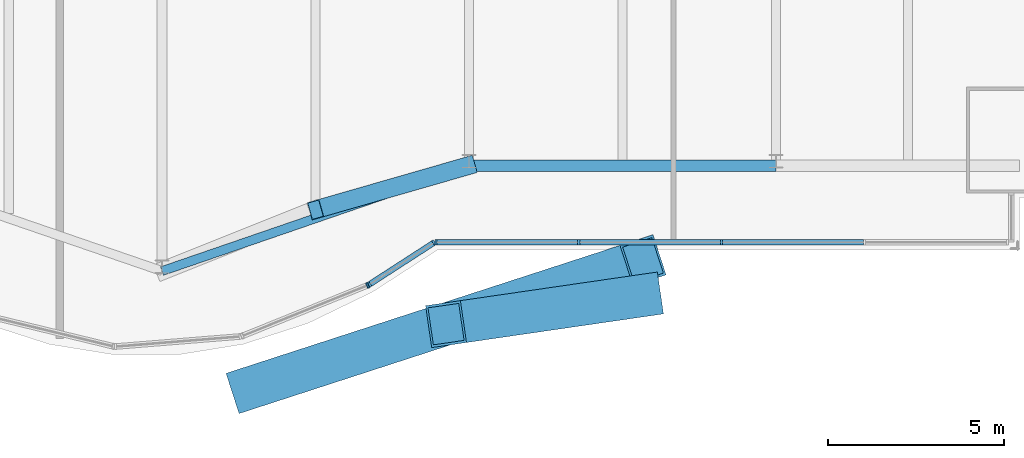
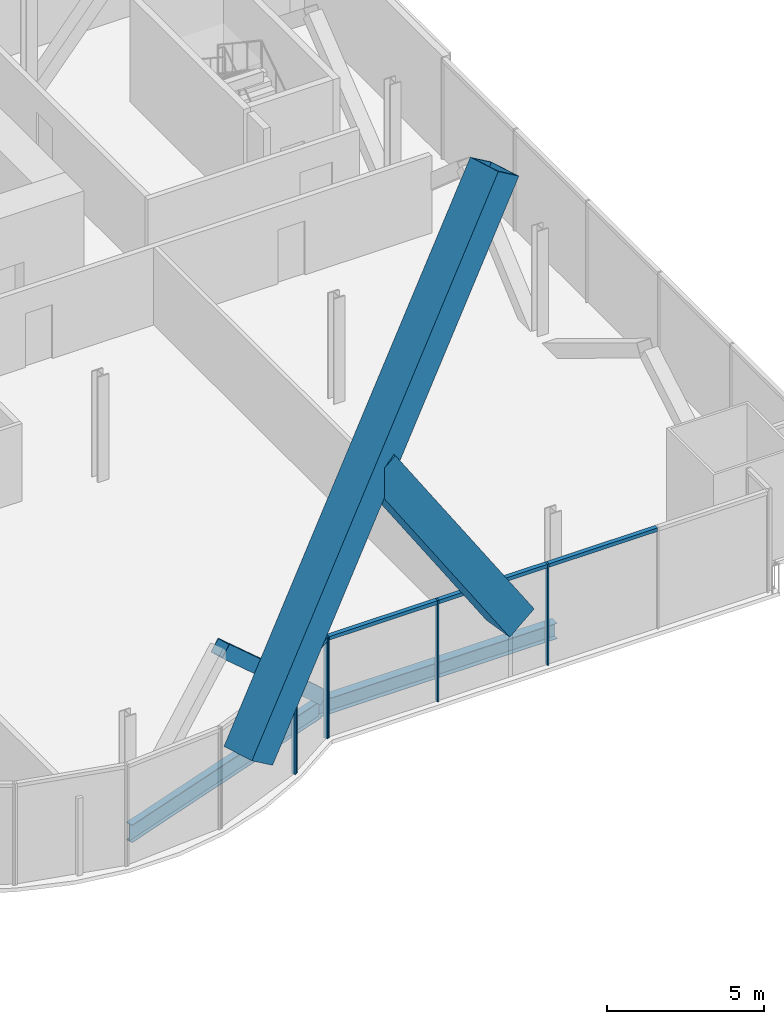
# One storey, part 9 of 22: 13 members, 2 beams, 2 elements without a shape of their own.
"""IFC4 building model written with IfcOpenShell, lengths in metres."""

from ifc_helpers import new_model, si_unit, direction, frame, origin, origin_2d, place, context, subcontext, project, spatial, rectangle, hollow_rectangle, i_section, extrude, material, material_profile, profile_set, type_object, element, aggregate, save


model = new_model("IFC4")

# Units and contexts
model_context = context("Model", 3, precision=1e-05, world=origin(), true_north=direction((0.0, 1.0)))
body_context = subcontext(model_context, "Body", "Model", "MODEL_VIEW")
ifc_project = project(units=[si_unit("LENGTHUNIT", "METRE"), si_unit("AREAUNIT", "SQUARE_METRE"), si_unit("VOLUMEUNIT", "CUBIC_METRE"), si_unit("PLANEANGLEUNIT", "RADIAN"), si_unit("MASSUNIT", "GRAM", prefix="KILO")], contexts=[model_context])

# Site, building, storey
site_placement = place(None, origin())
site = spatial("IfcSite", under=ifc_project, at=site_placement, CompositionType="ELEMENT")
building_placement = place(site_placement, origin())
building = spatial("IfcBuilding", under=site, at=building_placement, Name="Bicima Exchange Tower", CompositionType="ELEMENT")
storey_placement = place(building_placement, frame((0.0, 0.0, 102.199951171875)))
storey = spatial("IfcBuildingStorey", under=building, at=storey_placement, Name="L21", CompositionType="ELEMENT", Elevation=102.199951171875)

# Members
ifc_material_1 = material(Name="Steel ASTM A572 Gr 50", Category="steel")
ifc_material_profile_1 = material_profile(ifc_material_1, hollow_rectangle(XDim=1.199951171875, YDim=1.199951171875, WallThickness=0.070068359375, at=origin_2d()))
ifc_profile_set_1 = profile_set([ifc_material_profile_1], Name="Steel ASTM A572 Gr 50")
member_type_1 = type_object("IfcMemberType", Name="Exo mega brace BOX 1200x1200x70", PredefinedType="BRACE", material=ifc_profile_set_1)
member_1_placement = place(storey_placement, frame((11.166748046875, -42.248779296875, 3.63330078125), z_axis=(0.544086148819, 0.176710825587, 0.820209452995), x_axis=(-0.308900809412, 0.951094259232, 0.0)))
element("IfcMember", 1, at=member_1_placement, inside=storey, type_object=member_type_1, Name="Exo mega brace front", PredefinedType="BRACE", context=body_context, shape_type="SweptSolid", body=[
    extrude(hollow_rectangle(XDim=1.199951171875, YDim=1.199951171875, WallThickness=0.070068359375, at=origin_2d()), origin(), (0.0, 0.0, 1.0), 20.5234375),
])
member_2_placement = place(storey_placement, frame((22.333251953125, -39.623779296875, 3.63330078125), z_axis=(-0.551009731467, -0.080089044007, 0.830646748539), x_axis=(0.143838142422, -0.989601227154, 0.0)))
element("IfcMember", 2, at=member_2_placement, inside=storey, type_object=member_type_1, Name="Exo mega brace front", PredefinedType="BRACE", context=body_context, shape_type="SweptSolid", body=[
    extrude(hollow_rectangle(XDim=1.199951171875, YDim=1.199951171875, WallThickness=0.070068359375, at=origin_2d()), origin(), (0.0, 0.0, 1.0), 10.1328125),
])

# Beams
ifc_material_2 = material(Name="Steel ASTM A992 Gr 50", Category="steel")
ifc_material_profile_2 = material_profile(ifc_material_2, i_section(OverallWidth=0.3251953125, OverallDepth=0.612060546875, WebThickness=0.0126953125, FlangeThickness=0.01904296875, at=origin_2d()))
ifc_profile_set_2 = profile_set([ifc_material_profile_2], Name="Steel ASTM A992 Gr 50")
beam_type_1 = type_object("IfcBeamType", Name="Front girder W24x104", PredefinedType="BEAM", material=ifc_profile_set_2)
beam_1_placement = place(storey_placement, frame((17.39990234375, -35.93994140625, -0.4560546875), z_axis=(1.0, 0.0, 0.0), x_axis=(0.0, 1.0, 0.0)))
element("IfcBeam", 3, at=beam_1_placement, inside=storey, type_object=beam_type_1, Name="Front girder", PredefinedType="BEAM", context=body_context, shape_type="SweptSolid", body=[
    extrude(i_section(OverallWidth=0.3251953125, OverallDepth=0.612060546875, WebThickness=0.0126953125, FlangeThickness=0.01904296875, at=origin_2d()), origin(), (0.0, 0.0, 1.0), 8.7001953125),
])
ifc_material_profile_3 = material_profile(ifc_material_2, i_section(OverallWidth=0.256591796875, OverallDepth=0.693359375, WebThickness=0.014404296875, FlangeThickness=0.023681640625, at=origin_2d()))
ifc_profile_set_3 = profile_set([ifc_material_profile_3], Name="Steel ASTM A992 Gr 50")
beam_type_2 = type_object("IfcBeamType", Name="Front girder W27x114", PredefinedType="BEAM", material=ifc_profile_set_3)
beam_2_placement = place(storey_placement, frame((8.699951171875, -38.93115234375, -0.49658203125), z_axis=(0.945666456746, 0.325138359143, 0.0), x_axis=(-0.325138359143, 0.945666456746, 0.0)))
element("IfcBeam", 4, at=beam_2_placement, inside=storey, type_object=beam_type_2, Name="Front girder", PredefinedType="BEAM", context=body_context, shape_type="SweptSolid", body=[
    extrude(i_section(OverallWidth=0.256591796875, OverallDepth=0.693359375, WebThickness=0.014404296875, FlangeThickness=0.023681640625, at=origin_2d()), origin(), (0.0, 0.0, 1.0), 9.19970703125),
])

# Curtain wall, members
ifc_material_3 = material(Name="Anodised bronze aluminium", Category="aluminium")
curtain_wall_type = type_object("IfcCurtainWallType", Name="Front glass wall", PredefinedType="NOTDEFINED", material=ifc_material_3)
curtain_wall_1_placement = place(storey_placement, origin())
curtain_wall_1 = element("IfcCurtainWall", 5, at=curtain_wall_1_placement, inside=storey, type_object=curtain_wall_type, Name="Front glass wall L21 run 11", PredefinedType="NOTDEFINED")
ifc_material_profile_4 = material_profile(ifc_material_3, rectangle(XDim=0.159912109375, YDim=0.06005859375, at=origin_2d()))
ifc_profile_set_4 = profile_set([ifc_material_profile_4], Name="Anodised bronze aluminium")
member_type_2 = type_object("IfcMemberType", Name="Front glass wall mullion 60 x 160", PredefinedType="MULLION", material=ifc_profile_set_4)
member_3_placement = place(storey_placement, frame((14.52587890625, -39.335693359375, 0.0), z_axis=(0.0, 0.0, 1.0), x_axis=(-0.374705304, 0.92714396679, 0.0)))
member_3 = element("IfcMember", 6, at=member_3_placement, type_object=member_type_2, Name="Front glass wall mullion 2", PredefinedType="MULLION", context=body_context, shape_type="SweptSolid", body=[
    extrude(rectangle(XDim=0.159912109375, YDim=0.06005859375, at=origin_2d()), origin(), (0.0, 0.0, 1.0), 3.949951171875),
])
member_4_placement = place(storey_placement, frame((14.578857421875, -39.30810546875, 0.0), z_axis=(0.0, 0.0, 1.0), x_axis=(-0.542909183079, 0.839791413941, 0.0)))
member_4 = element("IfcMember", 7, at=member_4_placement, type_object=member_type_2, Name="Front glass wall mullion 1", PredefinedType="MULLION", context=body_context, shape_type="SweptSolid", body=[
    extrude(rectangle(XDim=0.159912109375, YDim=0.06005859375, at=origin_2d()), origin(), (0.0, 0.0, 1.0), 3.949951171875),
])
member_5_placement = place(storey_placement, frame((16.406982421875, -38.126220703125, 0.0), z_axis=(0.0, 0.0, 1.0), x_axis=(-0.542909183079, 0.839791413941, 0.0)))
member_5 = element("IfcMember", 8, at=member_5_placement, type_object=member_type_2, Name="Front glass wall mullion 2", PredefinedType="MULLION", context=body_context, shape_type="SweptSolid", body=[
    extrude(rectangle(XDim=0.159912109375, YDim=0.06005859375, at=origin_2d()), origin(), (0.0, 0.0, 1.0), 3.949951171875),
])

curtain_wall_2_placement = place(storey_placement, origin())
curtain_wall_2 = element("IfcCurtainWall", 9, at=curtain_wall_2_placement, inside=storey, type_object=curtain_wall_type, Name="Front glass wall L21 run 16", PredefinedType="NOTDEFINED")
member_6_placement = place(storey_placement, frame((16.462158203125, -38.110107421875, 0.0), z_axis=(0.0, 0.0, 1.0), x_axis=(0.0, 1.0, 0.0)))
member_6 = element("IfcMember", 10, at=member_6_placement, type_object=member_type_2, Name="Front glass wall mullion 1", PredefinedType="MULLION", context=body_context, shape_type="SweptSolid", body=[
    extrude(rectangle(XDim=0.159912109375, YDim=0.06005859375, at=origin_2d()), origin(), (0.0, 0.0, 1.0), 3.949951171875),
])
member_7_placement = place(storey_placement, frame((20.51171875, -38.110107421875, 0.0), z_axis=(0.0, 0.0, 1.0), x_axis=(0.0, 1.0, 0.0)))
member_7 = element("IfcMember", 11, at=member_7_placement, type_object=member_type_2, Name="Front glass wall mullion 2", PredefinedType="MULLION", context=body_context, shape_type="SweptSolid", body=[
    extrude(rectangle(XDim=0.159912109375, YDim=0.06005859375, at=origin_2d()), origin(), (0.0, 0.0, 1.0), 3.949951171875),
])
member_8_placement = place(storey_placement, frame((24.56103515625, -38.110107421875, 0.0), z_axis=(0.0, 0.0, 1.0), x_axis=(0.0, 1.0, 0.0)))
member_8 = element("IfcMember", 12, at=member_8_placement, type_object=member_type_2, Name="Front glass wall mullion 3", PredefinedType="MULLION", context=body_context, shape_type="SweptSolid", body=[
    extrude(rectangle(XDim=0.159912109375, YDim=0.06005859375, at=origin_2d()), origin(), (0.0, 0.0, 1.0), 3.949951171875),
])

# Member
ifc_material_profile_5 = material_profile(ifc_material_3, rectangle(XDim=0.159912109375, YDim=0.139892578125, at=origin_2d()))
ifc_profile_set_5 = profile_set([ifc_material_profile_5], Name="Anodised bronze aluminium")
member_type_3 = type_object("IfcMemberType", Name="Front glass wall transom 140 x 160", PredefinedType="USERDEFINED", material=ifc_profile_set_5)
member_9_placement = place(storey_placement, frame((14.60400390625, -39.291748046875, 3.880126953125), z_axis=(0.839792890287, 0.542906899407, 0.0), x_axis=(-0.542906899407, 0.839792890287, 0.0)))
member_9 = element("IfcMember", 13, at=member_9_placement, type_object=member_type_3, Name="Front glass wall transom 1.1", ObjectType="TRANSOM", PredefinedType="USERDEFINED", context=body_context, shape_type="SweptSolid", body=[
    extrude(rectangle(XDim=0.159912109375, YDim=0.139892578125, at=origin_2d()), origin(), (0.0, 0.0, 1.0), 2.11669921875),
])

aggregate(curtain_wall_1, [member_3, member_4, member_5, member_9])

member_10_placement = place(storey_placement, frame((16.4921875, -38.110107421875, 3.880126953125), z_axis=(1.0, 0.0, 0.0), x_axis=(0.0, 1.0, 0.0)))
member_10 = element("IfcMember", 14, at=member_10_placement, type_object=member_type_3, Name="Front glass wall transom 1.1", ObjectType="TRANSOM", PredefinedType="USERDEFINED", context=body_context, shape_type="SweptSolid", body=[
    extrude(rectangle(XDim=0.159912109375, YDim=0.139892578125, at=origin_2d()), origin(), (0.0, 0.0, 1.0), 3.989501953125),
])

member_11_placement = place(storey_placement, frame((20.54150390625, -38.110107421875, 3.880126953125), z_axis=(1.0, 0.0, 0.0), x_axis=(0.0, 1.0, 0.0)))
member_11 = element("IfcMember", 15, at=member_11_placement, type_object=member_type_3, Name="Front glass wall transom 2.1", ObjectType="TRANSOM", PredefinedType="USERDEFINED", context=body_context, shape_type="SweptSolid", body=[
    extrude(rectangle(XDim=0.159912109375, YDim=0.139892578125, at=origin_2d()), origin(), (0.0, 0.0, 1.0), 3.989501953125),
])

member_12_placement = place(storey_placement, frame((24.591064453125, -38.110107421875, 3.880126953125), z_axis=(1.0, 0.0, 0.0), x_axis=(0.0, 1.0, 0.0)))
member_12 = element("IfcMember", 16, at=member_12_placement, type_object=member_type_3, Name="Front glass wall transom 3.1", ObjectType="TRANSOM", PredefinedType="USERDEFINED", context=body_context, shape_type="SweptSolid", body=[
    extrude(rectangle(XDim=0.159912109375, YDim=0.139892578125, at=origin_2d()), origin(), (0.0, 0.0, 1.0), 3.989501953125),
])

aggregate(curtain_wall_2, [member_6, member_7, member_8, member_10, member_11, member_12])

ifc_material_profile_6 = material_profile(ifc_material_1, hollow_rectangle(XDim=0.508056640625, YDim=0.508056640625, WallThickness=0.0146484375, at=origin_2d()))
ifc_profile_set_6 = profile_set([ifc_material_profile_6], Name="Steel ASTM A572 Gr 50")
member_type_4 = type_object("IfcMemberType", Name="Mega brace HSS20x20x5/8", PredefinedType="BRACE", material=ifc_profile_set_6)
member_13_placement = place(storey_placement, frame((17.39990234375, -35.93994140625, 0.0), z_axis=(-0.71224719859, -0.204915481842, 0.671352048781), x_axis=(0.27648739579, -0.961017544049, 0.0)))
element("IfcMember", 17, at=member_13_placement, inside=storey, type_object=member_type_4, Name="Mega brace front", PredefinedType="BRACE", context=body_context, shape_type="SweptSolid", body=[
    extrude(hollow_rectangle(XDim=0.508056640625, YDim=0.508056640625, WallThickness=0.0146484375, at=origin_2d()), origin(), (0.0, 0.0, 1.0), 6.107177734375),
])

save(model, "model.ifc")
